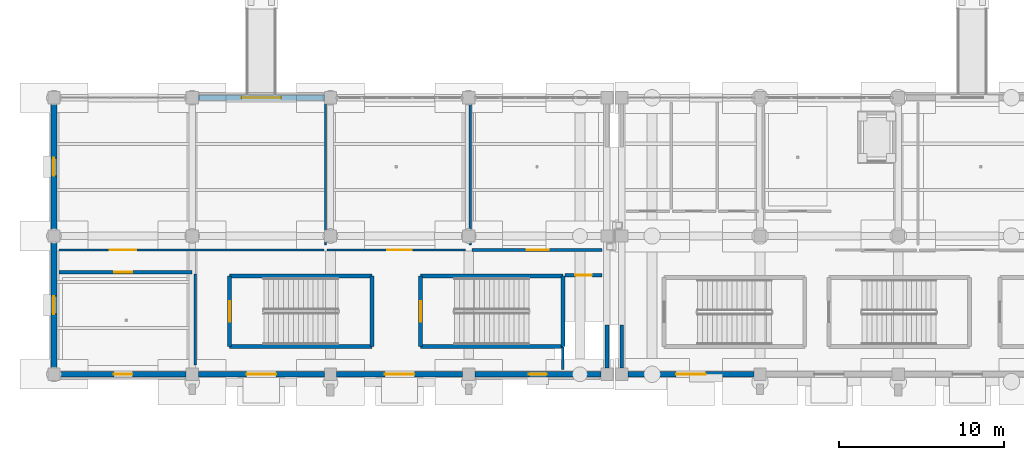
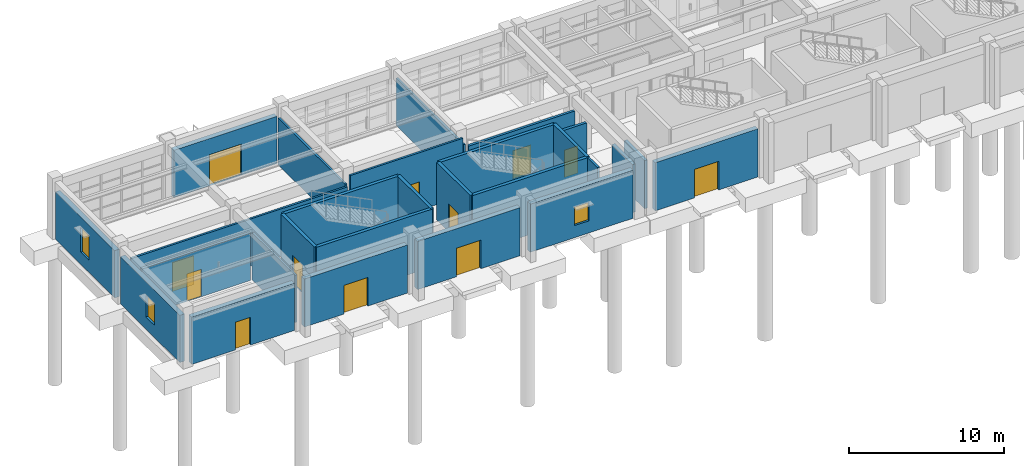
# One storey, part 17 of 29: 27 walls, 12 doors, 3 windows, 15 openings.
"""IFC4 building model written with IfcOpenShell, lengths in metres."""

from ifc_helpers import new_model, si_unit, direction, frame, frame_2d, origin, place, context, subcontext, project, spatial, rectangle, extrude, material, layer, layer_set, type_object, element, fill, save


model = new_model("IFC4")

# Units and contexts
model_context = context("Model", 3, precision=1e-05, world=origin(), true_north=direction((0.0, 1.0)))
body_context = subcontext(model_context, "Body", "Model", "MODEL_VIEW")
ifc_project = project(units=[si_unit("LENGTHUNIT", "METRE"), si_unit("AREAUNIT", "SQUARE_METRE"), si_unit("VOLUMEUNIT", "CUBIC_METRE"), si_unit("PLANEANGLEUNIT", "RADIAN"), si_unit("MASSUNIT", "GRAM", prefix="KILO")], contexts=[model_context])

# Site, building, storey
site_placement = place(None, origin())
site = spatial("IfcSite", under=ifc_project, at=site_placement, CompositionType="ELEMENT")
building_placement = place(site_placement, origin())
building = spatial("IfcBuilding", under=site, at=building_placement, Name="Canglan Escarpment Cableway Terminal", CompositionType="ELEMENT")
storey_placement = place(building_placement, origin())
storey = spatial("IfcBuildingStorey", under=building, at=storey_placement, Name="L00", CompositionType="ELEMENT", Elevation=0.0)

# Walls
ifc_material_1 = material(Name="Concrete C40", Category="concrete")
ifc_layer_1 = layer(ifc_material_1, 0.239990234375, Name="Concrete C40")
ifc_layer_set_1 = layer_set([ifc_layer_1], Name="Concrete C40")
wall_type_1 = type_object("IfcWallType", Name="WL-CORE-SHEAR-240", PredefinedType="SHEAR", material=ifc_layer_set_1)
wall_1_placement = place(storey_placement, frame((18.679931640625, 9.679931640625, 0.0), z_axis=(0.0, 0.0, 1.0), x_axis=(1.0, 0.0, 0.0)))
element("IfcWall", 1, at=wall_1_placement, inside=storey, type_object=wall_type_1, Name="Protected stair core wall ST-01 (L00)", PredefinedType="SHEAR", context=body_context, shape_type="SweptSolid", body=[
    extrude(rectangle(XDim=8.64013671875, YDim=0.239990234375, at=frame_2d((4.320068359375, 0.0))), origin(), (0.0, 0.0, 1.0), 4.550048828125),
])
wall_2_placement = place(storey_placement, frame((27.320068359375, 9.679931640625, 0.0), z_axis=(0.0, 0.0, 1.0), x_axis=(0.0, 1.0, 0.0)))
element("IfcWall", 2, at=wall_2_placement, inside=storey, type_object=wall_type_1, Name="Protected stair core wall ST-01 (L00)", PredefinedType="SHEAR", context=body_context, shape_type="SweptSolid", body=[
    extrude(rectangle(XDim=4.2900390625, YDim=0.239990234375, at=frame_2d((2.14501953125, 0.0))), origin(), (0.0, 0.0, 1.0), 4.550048828125),
])
wall_3_placement = place(storey_placement, frame((27.320068359375, 13.969970703125, 0.0), z_axis=(0.0, 0.0, 1.0), x_axis=(-1.0, 0.0, 0.0)))
element("IfcWall", 3, at=wall_3_placement, inside=storey, type_object=wall_type_1, Name="Protected stair core wall ST-01 (L00)", PredefinedType="SHEAR", context=body_context, shape_type="SweptSolid", body=[
    extrude(rectangle(XDim=8.64013671875, YDim=0.239990234375, at=frame_2d((4.320068359375, 0.0))), origin(), (0.0, 0.0, 1.0), 4.550048828125),
])

# Wall, opening, door
wall_4_placement = place(storey_placement, frame((18.679931640625, 13.969970703125, 0.0), z_axis=(0.0, 0.0, 1.0), x_axis=(0.0, -1.0, 0.0)))
wall_4 = element("IfcWall", 4, at=wall_4_placement, inside=storey, type_object=wall_type_1, Name="Protected stair core wall ST-01 (L00)", PredefinedType="SHEAR", context=body_context, shape_type="SweptSolid", body=[
    extrude(rectangle(XDim=4.2900390625, YDim=0.239990234375, at=frame_2d((2.14501953125, 0.0))), origin(), (0.0, 0.0, 1.0), 4.550048828125),
])
opening_1_placement = place(wall_4_placement, frame((1.52001953125, 0.0, 0.0)))
opening_1 = element("IfcOpeningElement", 5, at=opening_1_placement, cuts=wall_4, Name="Opening SD-D1", PredefinedType="OPENING", context=body_context, shape_type="SweptSolid", body=[
    extrude(rectangle(XDim=1.25, YDim=2.199951171875, at=frame_2d((0.625, 1.10009765625))), frame((0.0, 0.1298828125, 0.0), z_axis=(0.0, -1.0, 0.0), x_axis=(1.0, 0.0, 0.0)), (0.0, 0.0, 1.0), 0.260009765625),
])
ifc_material_2 = material(Name="Steel fire-resisting stair door", Category="steel")
door_type_1 = type_object("IfcDoorType", Name="DR-STAIR-EI90-1250", OperationType="NOTDEFINED", PredefinedType="DOOR", material=ifc_material_2)
door_1_placement = place(opening_1_placement, origin())
door_1 = element("IfcDoor", 6, at=door_1_placement, inside=storey, type_object=door_type_1, Name="Protected exit stair fire door ST-01 (L00)", OperationType="SINGLE_SWING_RIGHT", OverallHeight=2.199951171875, OverallWidth=1.25, PredefinedType="DOOR", context=body_context, shape_type="SweptSolid", body=[
    extrude(rectangle(XDim=1.25, YDim=2.199951171875, at=frame_2d((0.625, 1.10009765625))), frame((0.0, 0.02490234375, 0.0), z_axis=(0.0, -1.0, 0.0), x_axis=(1.0, 0.0, 0.0)), (0.0, 0.0, 1.0), 0.050048828125),
])
fill(opening_1, door_1)

# Walls
wall_5_placement = place(storey_placement, frame((30.280029296875, 9.679931640625, 0.0), z_axis=(0.0, 0.0, 1.0), x_axis=(1.0, 0.0, 0.0)))
element("IfcWall", 7, at=wall_5_placement, inside=storey, type_object=wall_type_1, Name="Protected stair core wall ST-02 (L00)", PredefinedType="SHEAR", context=body_context, shape_type="SweptSolid", body=[
    extrude(rectangle(XDim=8.639892578125, YDim=0.239990234375, at=frame_2d((4.31982421875, 0.0))), origin(), (0.0, 0.0, 1.0), 4.550048828125),
])
wall_6_placement = place(storey_placement, frame((38.919921875, 9.679931640625, 0.0), z_axis=(0.0, 0.0, 1.0), x_axis=(0.0, 1.0, 0.0)))
element("IfcWall", 8, at=wall_6_placement, inside=storey, type_object=wall_type_1, Name="Protected stair core wall ST-02 (L00)", PredefinedType="SHEAR", context=body_context, shape_type="SweptSolid", body=[
    extrude(rectangle(XDim=4.2900390625, YDim=0.239990234375, at=frame_2d((2.14501953125, 0.0))), origin(), (0.0, 0.0, 1.0), 4.550048828125),
])
wall_7_placement = place(storey_placement, frame((38.919921875, 13.969970703125, 0.0), z_axis=(0.0, 0.0, 1.0), x_axis=(-1.0, 0.0, 0.0)))
element("IfcWall", 9, at=wall_7_placement, inside=storey, type_object=wall_type_1, Name="Protected stair core wall ST-02 (L00)", PredefinedType="SHEAR", context=body_context, shape_type="SweptSolid", body=[
    extrude(rectangle(XDim=8.639892578125, YDim=0.239990234375, at=frame_2d((4.31982421875, 0.0))), origin(), (0.0, 0.0, 1.0), 4.550048828125),
])

# Wall, opening, door
wall_8_placement = place(storey_placement, frame((30.280029296875, 13.969970703125, 0.0), z_axis=(0.0, 0.0, 1.0), x_axis=(0.0, -1.0, 0.0)))
wall_8 = element("IfcWall", 10, at=wall_8_placement, inside=storey, type_object=wall_type_1, Name="Protected stair core wall ST-02 (L00)", PredefinedType="SHEAR", context=body_context, shape_type="SweptSolid", body=[
    extrude(rectangle(XDim=4.2900390625, YDim=0.239990234375, at=frame_2d((2.14501953125, 0.0))), origin(), (0.0, 0.0, 1.0), 4.550048828125),
])
opening_2_placement = place(wall_8_placement, frame((1.52001953125, 0.0, 0.0)))
opening_2 = element("IfcOpeningElement", 11, at=opening_2_placement, cuts=wall_8, Name="Opening SD-D1", PredefinedType="OPENING", context=body_context, shape_type="SweptSolid", body=[
    extrude(rectangle(XDim=1.25, YDim=2.199951171875, at=frame_2d((0.625, 1.10009765625))), frame((0.0, 0.1298828125, 0.0), z_axis=(0.0, -1.0, 0.0), x_axis=(1.0, 0.0, 0.0)), (0.0, 0.0, 1.0), 0.260009765625),
])
door_2_placement = place(opening_2_placement, origin())
door_2 = element("IfcDoor", 12, at=door_2_placement, inside=storey, type_object=door_type_1, Name="Protected exit stair fire door ST-02 (L00)", OperationType="SINGLE_SWING_RIGHT", OverallHeight=2.199951171875, OverallWidth=1.25, PredefinedType="DOOR", context=body_context, shape_type="SweptSolid", body=[
    extrude(rectangle(XDim=1.25, YDim=2.199951171875, at=frame_2d((0.625, 1.10009765625))), frame((0.0, 0.02490234375, 0.0), z_axis=(0.0, -1.0, 0.0), x_axis=(1.0, 0.0, 0.0)), (0.0, 0.0, 1.0), 0.050048828125),
])
fill(opening_2, door_2)

# Walls
ifc_material_3 = material(Name="Insulated stone-faced spandrel wall", Category="masonry")
ifc_layer_2 = layer(ifc_material_3, 0.22998046875, Name="Insulated stone-faced spandrel wall")
ifc_layer_set_2 = layer_set([ifc_layer_2], Name="Insulated stone-faced spandrel wall")
wall_type_2 = type_object("IfcWallType", Name="WL-EXT-LINK-230", PredefinedType="STANDARD", material=ifc_layer_set_2)
for number, where, z_axis, x_axis, name in (
    (13, (41.60009765625, 8.375, 0.0), (0.0, 0.0, 1.0), (0.0, 1.0, 0.0), "Classical stone-faced exterior wall EW-FB1-L00-E-01-FL1"),
    (14, (42.5, 8.375, 0.0), (0.0, 0.0, 1.0), (0.0, 1.0, 0.0), "Classical stone-faced exterior wall EW-FB2-L00-W-01-FL1"),
):
    element("IfcWall", number, at=place(storey_placement, frame(where, z_axis=z_axis, x_axis=x_axis)), inside=storey, type_object=wall_type_2, Name=name, PredefinedType="STANDARD", context=body_context, shape_type="SweptSolid", body=[
        extrude(rectangle(XDim=2.625, YDim=0.22998046875, at=frame_2d((1.3125, 0.0))), origin(), (0.0, 0.0, 1.0), 3.784912109375),
    ])

# Wall, opening, door
ifc_material_4 = material(Name="Rusticated limestone masonry on Concrete C40", Category="masonry")
ifc_layer_3 = layer(ifc_material_4, 0.360107421875, Name="Rusticated limestone masonry on Concrete C40")
ifc_layer_set_3 = layer_set([ifc_layer_3], Name="Rusticated limestone masonry on Concrete C40")
wall_type_3 = type_object("IfcWallType", Name="WL-EXT-RUST-360", PredefinedType="STANDARD", material=ifc_layer_set_3)
wall_9_placement = place(storey_placement, frame((8.375, 8.0, 0.0), z_axis=(0.0, 0.0, 1.0), x_axis=(1.0, 0.0, 0.0)))
wall_9 = element("IfcWall", 15, at=wall_9_placement, inside=storey, type_object=wall_type_3, Name="Classical stone-faced exterior wall EW-FB1-L00-S-01", PredefinedType="STANDARD", context=body_context, shape_type="SweptSolid", body=[
    extrude(rectangle(XDim=7.64990234375, YDim=0.360107421875, at=frame_2d((3.824951171875, 0.0))), origin(), (0.0, 0.0, 1.0), 3.715087890625),
])
opening_3_placement = place(wall_9_placement, frame((3.264892578125, 0.0, 0.0)))
opening_3 = element("IfcOpeningElement", 16, at=opening_3_placement, cuts=wall_9, Name="Opening ED-05", PredefinedType="OPENING", context=body_context, shape_type="SweptSolid", body=[
    extrude(rectangle(XDim=1.1201171875, YDim=2.179931640625, at=frame_2d((0.56005859375, 1.08984375))), frame((0.0, 0.18994140625, 0.0), z_axis=(0.0, -1.0, 0.0), x_axis=(1.0, 0.0, 0.0)), (0.0, 0.0, 1.0), 0.380126953125),
])
ifc_material_5 = material(Name="Anodized bronze aluminium and tempered safety glass", Category="aluminium")
door_type_2 = type_object("IfcDoorType", Name="DR-EXT-FCR-1120", OperationType="NOTDEFINED", PredefinedType="DOOR", material=ifc_material_5)
door_3_placement = place(opening_3_placement, origin())
door_3 = element("IfcDoor", 17, at=door_3_placement, inside=storey, type_object=door_type_2, Name="Fire Control Room direct street exit door ED-05", OperationType="SINGLE_SWING_LEFT", OverallHeight=2.179931640625, OverallWidth=1.1201171875, PredefinedType="DOOR", context=body_context, shape_type="SweptSolid", body=[
    extrude(rectangle(XDim=1.1201171875, YDim=2.179931640625, at=frame_2d((0.56005859375, 1.08984375))), frame((0.0, 0.02490234375, 0.0), z_axis=(0.0, -1.0, 0.0), x_axis=(1.0, 0.0, 0.0)), (0.0, 0.0, 1.0), 0.050048828125),
])
fill(opening_3, door_3)

wall_10_placement = place(storey_placement, frame((24.425048828125, 8.0, 0.0), z_axis=(0.0, 0.0, 1.0), x_axis=(-1.0, 0.0, 0.0)))
wall_10 = element("IfcWall", 18, at=wall_10_placement, inside=storey, type_object=wall_type_3, Name="Classical stone-faced exterior wall EW-FB1-L00-S-02", PredefinedType="STANDARD", context=body_context, shape_type="SweptSolid", body=[
    extrude(rectangle(XDim=7.650146484375, YDim=0.360107421875, at=frame_2d((3.8251953125, 0.0))), origin(), (0.0, 0.0, 1.0), 3.784912109375),
])
opening_4_placement = place(wall_10_placement, frame((2.925048828125, 0.0, 0.0)))
opening_4 = element("IfcOpeningElement", 19, at=opening_4_placement, cuts=wall_10, Name="Opening ED-02", PredefinedType="OPENING", context=body_context, shape_type="SweptSolid", body=[
    extrude(rectangle(XDim=1.800048828125, YDim=2.25, at=frame_2d((0.89990234375, 1.125))), frame((0.0, 0.18994140625, 0.0), z_axis=(0.0, -1.0, 0.0), x_axis=(1.0, 0.0, 0.0)), (0.0, 0.0, 1.0), 0.380126953125),
])
door_type_3 = type_object("IfcDoorType", Name="DR-EXT-EXIT-1800", OperationType="NOTDEFINED", PredefinedType="DOOR", material=ifc_material_5)
door_4_placement = place(opening_4_placement, origin())
door_4 = element("IfcDoor", 20, at=door_4_placement, inside=storey, type_object=door_type_3, Name="Protected exit passage final exit door ED-02", OperationType="DOUBLE_DOOR_SINGLE_SWING", OverallHeight=2.25, OverallWidth=1.800048828125, PredefinedType="DOOR", context=body_context, shape_type="SweptSolid", body=[
    extrude(rectangle(XDim=1.800048828125, YDim=2.25, at=frame_2d((0.89990234375, 1.125))), frame((0.0, 0.02490234375, 0.0), z_axis=(0.0, -1.0, 0.0), x_axis=(1.0, 0.0, 0.0)), (0.0, 0.0, 1.0), 0.050048828125),
])
fill(opening_4, door_4)

wall_11_placement = place(storey_placement, frame((32.824951171875, 8.0, 0.0), z_axis=(0.0, 0.0, 1.0), x_axis=(-1.0, 0.0, 0.0)))
wall_11 = element("IfcWall", 21, at=wall_11_placement, inside=storey, type_object=wall_type_3, Name="Classical stone-faced exterior wall EW-FB1-L00-S-03", PredefinedType="STANDARD", context=body_context, shape_type="SweptSolid", body=[
    extrude(rectangle(XDim=7.64990234375, YDim=0.360107421875, at=frame_2d((3.824951171875, 0.0))), origin(), (0.0, 0.0, 1.0), 3.784912109375),
])
opening_5_placement = place(wall_11_placement, frame((2.925048828125, 0.0, 0.0)))
opening_5 = element("IfcOpeningElement", 22, at=opening_5_placement, cuts=wall_11, Name="Opening ED-02", PredefinedType="OPENING", context=body_context, shape_type="SweptSolid", body=[
    extrude(rectangle(XDim=1.800048828125, YDim=2.25, at=frame_2d((0.89990234375, 1.125))), frame((0.0, 0.18994140625, 0.0), z_axis=(0.0, -1.0, 0.0), x_axis=(1.0, 0.0, 0.0)), (0.0, 0.0, 1.0), 0.380126953125),
])
door_5_placement = place(opening_5_placement, origin())
door_5 = element("IfcDoor", 23, at=door_5_placement, inside=storey, type_object=door_type_3, Name="Protected exit passage final exit door ED-02", OperationType="DOUBLE_DOOR_SINGLE_SWING", OverallHeight=2.25, OverallWidth=1.800048828125, PredefinedType="DOOR", context=body_context, shape_type="SweptSolid", body=[
    extrude(rectangle(XDim=1.800048828125, YDim=2.25, at=frame_2d((0.89990234375, 1.125))), frame((0.0, 0.02490234375, 0.0), z_axis=(0.0, -1.0, 0.0), x_axis=(1.0, 0.0, 0.0)), (0.0, 0.0, 1.0), 0.050048828125),
])
fill(opening_5, door_5)

# Wall, opening, window
wall_12_placement = place(storey_placement, frame((33.574951171875, 8.0, 0.0), z_axis=(0.0, 0.0, 1.0), x_axis=(1.0, 0.0, 0.0)))
wall_12 = element("IfcWall", 24, at=wall_12_placement, inside=storey, type_object=wall_type_3, Name="Classical stone-faced exterior wall EW-FB1-L00-S-04", PredefinedType="STANDARD", context=body_context, shape_type="SweptSolid", body=[
    extrude(rectangle(XDim=7.650146484375, YDim=0.360107421875, at=frame_2d((3.8251953125, 0.0))), origin(), (0.0, 0.0, 1.0), 3.784912109375),
])
opening_6_placement = place(wall_12_placement, frame((3.27490234375, 0.0, 0.949951171875)))
opening_6 = element("IfcOpeningElement", 25, at=opening_6_placement, cuts=wall_12, Name="Opening W-01", PredefinedType="OPENING", context=body_context, shape_type="SweptSolid", body=[
    extrude(rectangle(XDim=1.10009765625, YDim=1.449951171875, at=frame_2d((0.550048828125, 0.72509765625))), frame((0.0, 0.18994140625, 0.0), z_axis=(0.0, -1.0, 0.0), x_axis=(1.0, 0.0, 0.0)), (0.0, 0.0, 1.0), 0.380126953125),
])
ifc_material_6 = material(Name="Anodized bronze aluminium and Low-E double glazing", Category="aluminium")
window_type_1 = type_object("IfcWindowType", Name="WIN-EXT-01", PartitioningType="SINGLE_PANEL", PredefinedType="WINDOW", material=ifc_material_6)
window_1_placement = place(opening_6_placement, origin())
window_1 = element("IfcWindow", 26, at=window_1_placement, inside=storey, type_object=window_type_1, Name="Classical module window W-01", OverallHeight=1.449951171875, OverallWidth=1.10009765625, PartitioningType="SINGLE_PANEL", PredefinedType="WINDOW", context=body_context, shape_type="SweptSolid", body=[
    extrude(rectangle(XDim=1.10009765625, YDim=1.449951171875, at=frame_2d((0.550048828125, 0.72509765625))), frame((0.0, 0.030029296875, 0.0), z_axis=(0.0, -1.0, 0.0), x_axis=(1.0, 0.0, 0.0)), (0.0, 0.0, 1.0), 0.06005859375),
])
fill(opening_6, window_1)

# Wall, opening, door
wall_13_placement = place(storey_placement, frame((24.425048828125, 24.800048828125, 0.0), z_axis=(0.0, 0.0, 1.0), x_axis=(-1.0, 0.0, 0.0)))
wall_13 = element("IfcWall", 27, at=wall_13_placement, inside=storey, type_object=wall_type_3, Name="Classical stone-faced exterior wall EW-FB1-L00-N-02", PredefinedType="STANDARD", context=body_context, shape_type="SweptSolid", body=[
    extrude(rectangle(XDim=7.650146484375, YDim=0.360107421875, at=frame_2d((3.8251953125, 0.0))), origin(), (0.0, 0.0, 1.0), 3.715087890625),
])
opening_7_placement = place(wall_13_placement, frame((2.625, 0.0, 0.0)))
opening_7 = element("IfcOpeningElement", 28, at=opening_7_placement, cuts=wall_13, Name="Opening ED-01", PredefinedType="OPENING", context=body_context, shape_type="SweptSolid", body=[
    extrude(rectangle(XDim=2.39990234375, YDim=2.449951171875, at=frame_2d((1.199951171875, 1.22509765625))), frame((0.0, 0.18994140625, 0.0), z_axis=(0.0, -1.0, 0.0), x_axis=(1.0, 0.0, 0.0)), (0.0, 0.0, 1.0), 0.380126953125),
])
door_type_4 = type_object("IfcDoorType", Name="DR-EXT-MAIN-2400", OperationType="NOTDEFINED", PredefinedType="DOOR", material=ifc_material_5)
door_6_placement = place(opening_7_placement, origin())
door_6 = element("IfcDoor", 29, at=door_6_placement, inside=storey, type_object=door_type_4, Name="Ticket Hall main forecourt entrance door ED-01", OperationType="DOUBLE_DOOR_SINGLE_SWING", OverallHeight=2.449951171875, OverallWidth=2.39990234375, PredefinedType="DOOR", context=body_context, shape_type="SweptSolid", body=[
    extrude(rectangle(XDim=2.39990234375, YDim=2.449951171875, at=frame_2d((1.199951171875, 1.22509765625))), frame((0.0, 0.02490234375, 0.0), z_axis=(0.0, -1.0, 0.0), x_axis=(1.0, 0.0, 0.0)), (0.0, 0.0, 1.0), 0.050048828125),
])
fill(opening_7, door_6)

# Wall, opening, window
wall_14_placement = place(storey_placement, frame((8.0, 16.02490234375, 0.0), z_axis=(0.0, 0.0, 1.0), x_axis=(0.0, -1.0, 0.0)))
wall_14 = element("IfcWall", 30, at=wall_14_placement, inside=storey, type_object=wall_type_3, Name="Classical stone-faced exterior wall EW-FB1-L00-W-01", PredefinedType="STANDARD", context=body_context, shape_type="SweptSolid", body=[
    extrude(rectangle(XDim=7.64990234375, YDim=0.360107421875, at=frame_2d((3.824951171875, 0.0))), origin(), (0.0, 0.0, 1.0), 3.715087890625),
])
opening_8_placement = place(wall_14_placement, frame((3.27490234375, 0.0, 0.949951171875)))
opening_8 = element("IfcOpeningElement", 31, at=opening_8_placement, cuts=wall_14, Name="Opening W-02", PredefinedType="OPENING", context=body_context, shape_type="SweptSolid", body=[
    extrude(rectangle(XDim=1.10009765625, YDim=1.699951171875, at=frame_2d((0.550048828125, 0.85009765625))), frame((0.0, 0.18994140625, 0.0), z_axis=(0.0, -1.0, 0.0), x_axis=(1.0, 0.0, 0.0)), (0.0, 0.0, 1.0), 0.380126953125),
])
window_type_2 = type_object("IfcWindowType", Name="WIN-EXT-02", PartitioningType="SINGLE_PANEL", PredefinedType="WINDOW", material=ifc_material_6)
window_2_placement = place(opening_8_placement, origin())
window_2 = element("IfcWindow", 32, at=window_2_placement, inside=storey, type_object=window_type_2, Name="Classical module window W-02", OverallHeight=1.699951171875, OverallWidth=1.10009765625, PartitioningType="SINGLE_PANEL", PredefinedType="WINDOW", context=body_context, shape_type="SweptSolid", body=[
    extrude(rectangle(XDim=1.10009765625, YDim=1.699951171875, at=frame_2d((0.550048828125, 0.85009765625))), frame((0.0, 0.030029296875, 0.0), z_axis=(0.0, -1.0, 0.0), x_axis=(1.0, 0.0, 0.0)), (0.0, 0.0, 1.0), 0.06005859375),
])
fill(opening_8, window_2)

wall_15_placement = place(storey_placement, frame((8.0, 24.425048828125, 0.0), z_axis=(0.0, 0.0, 1.0), x_axis=(0.0, -1.0, 0.0)))
wall_15 = element("IfcWall", 33, at=wall_15_placement, inside=storey, type_object=wall_type_3, Name="Classical stone-faced exterior wall EW-FB1-L00-W-02", PredefinedType="STANDARD", context=body_context, shape_type="SweptSolid", body=[
    extrude(rectangle(XDim=7.650146484375, YDim=0.360107421875, at=frame_2d((3.8251953125, 0.0))), origin(), (0.0, 0.0, 1.0), 3.715087890625),
])
opening_9_placement = place(wall_15_placement, frame((3.27490234375, 0.0, 0.949951171875)))
opening_9 = element("IfcOpeningElement", 34, at=opening_9_placement, cuts=wall_15, Name="Opening W-03", PredefinedType="OPENING", context=body_context, shape_type="SweptSolid", body=[
    extrude(rectangle(XDim=1.10009765625, YDim=1.949951171875, at=frame_2d((0.550048828125, 0.97509765625))), frame((0.0, 0.18994140625, 0.0), z_axis=(0.0, -1.0, 0.0), x_axis=(1.0, 0.0, 0.0)), (0.0, 0.0, 1.0), 0.380126953125),
])
window_type_3 = type_object("IfcWindowType", Name="WIN-EXT-03", PartitioningType="SINGLE_PANEL", PredefinedType="WINDOW", material=ifc_material_6)
window_3_placement = place(opening_9_placement, origin())
window_3 = element("IfcWindow", 35, at=window_3_placement, inside=storey, type_object=window_type_3, Name="Classical module window W-03", OverallHeight=1.949951171875, OverallWidth=1.10009765625, PartitioningType="SINGLE_PANEL", PredefinedType="WINDOW", context=body_context, shape_type="SweptSolid", body=[
    extrude(rectangle(XDim=1.10009765625, YDim=1.949951171875, at=frame_2d((0.550048828125, 0.97509765625))), frame((0.0, 0.030029296875, 0.0), z_axis=(0.0, -1.0, 0.0), x_axis=(1.0, 0.0, 0.0)), (0.0, 0.0, 1.0), 0.06005859375),
])
fill(opening_9, window_3)

# Wall, opening, door
wall_16_placement = place(storey_placement, frame((50.52490234375, 8.0, 0.0), z_axis=(0.0, 0.0, 1.0), x_axis=(-1.0, 0.0, 0.0)))
wall_16 = element("IfcWall", 36, at=wall_16_placement, inside=storey, type_object=wall_type_3, Name="Classical stone-faced exterior wall EW-FB2-L00-S-01", PredefinedType="STANDARD", context=body_context, shape_type="SweptSolid", body=[
    extrude(rectangle(XDim=7.64990234375, YDim=0.360107421875, at=frame_2d((3.824951171875, 0.0))), origin(), (0.0, 0.0, 1.0), 3.784912109375),
])
opening_10_placement = place(wall_16_placement, frame((2.925048828125, 0.0, 0.0)))
opening_10 = element("IfcOpeningElement", 37, at=opening_10_placement, cuts=wall_16, Name="Opening ED-02", PredefinedType="OPENING", context=body_context, shape_type="SweptSolid", body=[
    extrude(rectangle(XDim=1.800048828125, YDim=2.25, at=frame_2d((0.89990234375, 1.125))), frame((0.0, 0.18994140625, 0.0), z_axis=(0.0, -1.0, 0.0), x_axis=(1.0, 0.0, 0.0)), (0.0, 0.0, 1.0), 0.380126953125),
])
door_7_placement = place(opening_10_placement, origin())
door_7 = element("IfcDoor", 38, at=door_7_placement, inside=storey, type_object=door_type_3, Name="Protected exit passage final exit door ED-02", OperationType="DOUBLE_DOOR_SINGLE_SWING", OverallHeight=2.25, OverallWidth=1.800048828125, PredefinedType="DOOR", context=body_context, shape_type="SweptSolid", body=[
    extrude(rectangle(XDim=1.800048828125, YDim=2.25, at=frame_2d((0.89990234375, 1.125))), frame((0.0, 0.02490234375, 0.0), z_axis=(0.0, -1.0, 0.0), x_axis=(1.0, 0.0, 0.0)), (0.0, 0.0, 1.0), 0.050048828125),
])
fill(opening_10, door_7)

ifc_material_7 = material(Name="Autoclaved aerated concrete blockwork", Category="masonry")
ifc_layer_4 = layer(ifc_material_7, 0.179931640625, Name="Autoclaved aerated concrete blockwork")
ifc_layer_set_4 = layer_set([ifc_layer_4], Name="Autoclaved aerated concrete blockwork")
wall_type_4 = type_object("IfcWallType", Name="WL-INT-FIRE-180-EI60", PredefinedType="PARTITIONING", material=ifc_layer_set_4)
wall_17_placement = place(storey_placement, frame((33.39990234375, 15.550048828125, 0.0), z_axis=(0.0, 0.0, 1.0), x_axis=(1.0, 0.0, 0.0)))
wall_17 = element("IfcWall", 39, at=wall_17_placement, inside=storey, type_object=wall_type_4, Name="Interior partition wall IW-L00-06-MAIN", PredefinedType="PARTITIONING", context=body_context, shape_type="SweptSolid", body=[
    extrude(rectangle(XDim=7.900146484375, YDim=0.179931640625, at=frame_2d((3.9501953125, 0.0))), origin(), (0.0, 0.0, 1.0), 3.784912109375),
])
opening_11_placement = place(wall_17_placement, frame((3.324951171875, 0.0, 0.0)))
opening_11 = element("IfcOpeningElement", 40, at=opening_11_placement, cuts=wall_17, Name="Opening ID-15", PredefinedType="OPENING", context=body_context, shape_type="SweptSolid", body=[
    extrude(rectangle(XDim=1.35009765625, YDim=2.199951171875, at=frame_2d((0.675048828125, 1.10009765625))), frame((0.0, 0.10009765625, 0.0), z_axis=(0.0, -1.0, 0.0), x_axis=(1.0, 0.0, 0.0)), (0.0, 0.0, 1.0), 0.199951171875),
])
ifc_material_8 = material(Name="Stained oak and safety glass door", Category="glass")
door_type_5 = type_object("IfcDoorType", Name="DR-INT-ID-15", OperationType="NOTDEFINED", PredefinedType="DOOR", material=ifc_material_8)
door_8_placement = place(opening_11_placement, origin())
door_8 = element("IfcDoor", 41, at=door_8_placement, inside=storey, type_object=door_type_5, Name="Mountain Rescue Clinic door ID-15", OperationType="SINGLE_SWING_LEFT", OverallHeight=2.199951171875, OverallWidth=1.35009765625, PredefinedType="DOOR", context=body_context, shape_type="SweptSolid", body=[
    extrude(rectangle(XDim=1.35009765625, YDim=2.199951171875, at=frame_2d((0.675048828125, 1.10009765625))), frame((0.0, 0.02490234375, 0.0), z_axis=(0.0, -1.0, 0.0), x_axis=(1.0, 0.0, 0.0)), (0.0, 0.0, 1.0), 0.050048828125),
])
fill(opening_11, door_8)

ifc_layer_5 = layer(ifc_material_7, 0.199951171875, Name="Autoclaved aerated concrete blockwork")
ifc_layer_set_5 = layer_set([ifc_layer_5], Name="Autoclaved aerated concrete blockwork")
wall_type_5 = type_object("IfcWallType", Name="WL-INT-FIRE-200-EI90", PredefinedType="PARTITIONING", material=ifc_layer_set_5)
wall_18_placement = place(storey_placement, frame((8.300048828125, 14.199951171875, 0.0), z_axis=(0.0, 0.0, 1.0), x_axis=(1.0, 0.0, 0.0)))
wall_18 = element("IfcWall", 42, at=wall_18_placement, inside=storey, type_object=wall_type_5, Name="Interior partition wall IW-L00-03-MAIN", PredefinedType="PARTITIONING", context=body_context, shape_type="SweptSolid", body=[
    extrude(rectangle(XDim=8.099853515625, YDim=0.199951171875, at=frame_2d((4.0498046875, 0.0))), origin(), (0.0, 0.0, 1.0), 3.715087890625),
])
opening_12_placement = place(wall_18_placement, frame((3.35009765625, 0.0, 0.0)))
opening_12 = element("IfcOpeningElement", 43, at=opening_12_placement, cuts=wall_18, Name="Opening ID-06", PredefinedType="OPENING", context=body_context, shape_type="SweptSolid", body=[
    extrude(rectangle(XDim=1.10009765625, YDim=2.159912109375, at=frame_2d((0.550048828125, 1.080078125))), frame((0.0, 0.10986328125, 0.0), z_axis=(0.0, -1.0, 0.0), x_axis=(1.0, 0.0, 0.0)), (0.0, 0.0, 1.0), 0.219970703125),
])
ifc_material_9 = material(Name="Fire-rated steel leaf", Category="steel")
door_type_6 = type_object("IfcDoorType", Name="DR-INT-ID-06", OperationType="NOTDEFINED", PredefinedType="DOOR", material=ifc_material_9)
door_9_placement = place(opening_12_placement, origin())
door_9 = element("IfcDoor", 44, at=door_9_placement, inside=storey, type_object=door_type_6, Name="Fire Control Room door ID-06", OperationType="SINGLE_SWING_RIGHT", OverallHeight=2.159912109375, OverallWidth=1.10009765625, PredefinedType="DOOR", context=body_context, shape_type="SweptSolid", body=[
    extrude(rectangle(XDim=1.10009765625, YDim=2.159912109375, at=frame_2d((0.550048828125, 1.080078125))), frame((0.0, 0.02490234375, 0.0), z_axis=(0.0, -1.0, 0.0), x_axis=(1.0, 0.0, 0.0)), (0.0, 0.0, 1.0), 0.050048828125),
])
fill(opening_12, door_9)

wall_19_placement = place(storey_placement, frame((39.06005859375, 14.02001953125, 0.0), z_axis=(0.0, 0.0, 1.0), x_axis=(1.0, 0.0, 0.0)))
wall_19 = element("IfcWall", 45, at=wall_19_placement, inside=storey, type_object=wall_type_5, Name="Interior partition wall IW-L00-07-MAIN", PredefinedType="PARTITIONING", context=body_context, shape_type="SweptSolid", body=[
    extrude(rectangle(XDim=2.239990234375, YDim=0.199951171875, at=frame_2d((1.1201171875, 0.0))), origin(), (0.0, 0.0, 1.0), 3.784912109375),
])
opening_13_placement = place(wall_19_placement, frame((0.6201171875, 0.0, 0.0)))
opening_13 = element("IfcOpeningElement", 46, at=opening_13_placement, cuts=wall_19, Name="Opening ID-03", PredefinedType="OPENING", context=body_context, shape_type="SweptSolid", body=[
    extrude(rectangle(XDim=1.0, YDim=2.14990234375, at=frame_2d((0.5, 1.074951171875))), frame((0.0, 0.10986328125, 0.0), z_axis=(0.0, -1.0, 0.0), x_axis=(1.0, 0.0, 0.0)), (0.0, 0.0, 1.0), 0.219970703125),
])
door_type_7 = type_object("IfcDoorType", Name="DR-INT-ID-03", OperationType="NOTDEFINED", PredefinedType="DOOR", material=ifc_material_9)
door_10_placement = place(opening_13_placement, origin())
door_10 = element("IfcDoor", 47, at=door_10_placement, inside=storey, type_object=door_type_7, Name="Valley Dispatch Operations Room door ID-03", OperationType="SINGLE_SWING_RIGHT", OverallHeight=2.14990234375, OverallWidth=1.0, PredefinedType="DOOR", context=body_context, shape_type="SweptSolid", body=[
    extrude(rectangle(XDim=1.0, YDim=2.14990234375, at=frame_2d((0.5, 1.074951171875))), frame((0.0, 0.02490234375, 0.0), z_axis=(0.0, -1.0, 0.0), x_axis=(1.0, 0.0, 0.0)), (0.0, 0.0, 1.0), 0.050048828125),
])
fill(opening_13, door_10)

# Wall
ifc_material_10 = material(Name="Acoustic double-stud gypsum partition", Category="gypsum")
ifc_layer_6 = layer(ifc_material_10, 0.14990234375, Name="Acoustic double-stud gypsum partition")
ifc_layer_set_6 = layer_set([ifc_layer_6], Name="Acoustic double-stud gypsum partition")
wall_type_6 = type_object("IfcWallType", Name="WL-INT-PART-150", PredefinedType="PARTITIONING", material=ifc_layer_set_6)
wall_20_placement = place(storey_placement, frame((16.580078125, 8.550048828125, 0.0), z_axis=(0.0, 0.0, 1.0), x_axis=(0.0, 1.0, 0.0)))
element("IfcWall", 48, at=wall_20_placement, inside=storey, type_object=wall_type_6, Name="Interior partition wall IW-L00-03-SIDE", PredefinedType="PARTITIONING", context=body_context, shape_type="SweptSolid", body=[
    extrude(rectangle(XDim=5.550048828125, YDim=0.14990234375, at=frame_2d((2.77490234375, 0.0))), origin(), (0.0, 0.0, 1.0), 3.715087890625),
])

# Wall, opening, door
wall_21_placement = place(storey_placement, frame((8.300048828125, 15.550048828125, 0.0), z_axis=(0.0, 0.0, 1.0), x_axis=(1.0, 0.0, 0.0)))
wall_21 = element("IfcWall", 49, at=wall_21_placement, inside=storey, type_object=wall_type_6, Name="Interior partition wall IW-L00-04-MAIN", PredefinedType="PARTITIONING", context=body_context, shape_type="SweptSolid", body=[
    extrude(rectangle(XDim=16.099853515625, YDim=0.14990234375, at=frame_2d((8.0498046875, 0.0))), origin(), (0.0, 0.0, 1.0), 3.715087890625),
])
opening_14_placement = place(wall_21_placement, frame((3.10009765625, 0.0, 0.0)))
opening_14 = element("IfcOpeningElement", 50, at=opening_14_placement, cuts=wall_21, Name="Opening ID-24", PredefinedType="OPENING", context=body_context, shape_type="SweptSolid", body=[
    extrude(rectangle(XDim=1.60009765625, YDim=2.280029296875, at=frame_2d((0.800048828125, 1.14013671875))), frame((0.0, 0.0849609375, 0.0), z_axis=(0.0, -1.0, 0.0), x_axis=(1.0, 0.0, 0.0)), (0.0, 0.0, 1.0), 0.169921875),
])
door_type_8 = type_object("IfcDoorType", Name="DR-INT-ID-24", OperationType="NOTDEFINED", PredefinedType="DOOR", material=ifc_material_8)
door_11_placement = place(opening_14_placement, origin())
door_11 = element("IfcDoor", 51, at=door_11_placement, inside=storey, type_object=door_type_8, Name="Ticket Hall door ID-24", OperationType="DOUBLE_DOOR_SINGLE_SWING", OverallHeight=2.280029296875, OverallWidth=1.60009765625, PredefinedType="DOOR", context=body_context, shape_type="SweptSolid", body=[
    extrude(rectangle(XDim=1.60009765625, YDim=2.280029296875, at=frame_2d((0.800048828125, 1.14013671875))), frame((0.0, 0.02490234375, 0.0), z_axis=(0.0, -1.0, 0.0), x_axis=(1.0, 0.0, 0.0)), (0.0, 0.0, 1.0), 0.050048828125),
])
fill(opening_14, door_11)

wall_22_placement = place(storey_placement, frame((24.60009765625, 15.550048828125, 0.0), z_axis=(0.0, 0.0, 1.0), x_axis=(1.0, 0.0, 0.0)))
wall_22 = element("IfcWall", 52, at=wall_22_placement, inside=storey, type_object=wall_type_6, Name="Interior partition wall IW-L00-05-MAIN", PredefinedType="PARTITIONING", context=body_context, shape_type="SweptSolid", body=[
    extrude(rectangle(XDim=8.39990234375, YDim=0.14990234375, at=frame_2d((4.199951171875, 0.0))), origin(), (0.0, 0.0, 1.0), 4.534912109375),
])
opening_15_placement = place(wall_22_placement, frame((3.64990234375, 0.0, 0.0)))
opening_15 = element("IfcOpeningElement", 53, at=opening_15_placement, cuts=wall_22, Name="Opening ID-21", PredefinedType="OPENING", context=body_context, shape_type="SweptSolid", body=[
    extrude(rectangle(XDim=1.5, YDim=2.239990234375, at=frame_2d((0.75, 1.1201171875))), frame((0.0, 0.0849609375, 0.0), z_axis=(0.0, -1.0, 0.0), x_axis=(1.0, 0.0, 0.0)), (0.0, 0.0, 1.0), 0.169921875),
])
door_type_9 = type_object("IfcDoorType", Name="DR-INT-ID-21", OperationType="NOTDEFINED", PredefinedType="DOOR", material=ifc_material_8)
door_12_placement = place(opening_15_placement, origin())
door_12 = element("IfcDoor", 54, at=door_12_placement, inside=storey, type_object=door_type_9, Name="Baggage Check Hall door ID-21", OperationType="DOUBLE_DOOR_SINGLE_SWING", OverallHeight=2.239990234375, OverallWidth=1.5, PredefinedType="DOOR", context=body_context, shape_type="SweptSolid", body=[
    extrude(rectangle(XDim=1.5, YDim=2.239990234375, at=frame_2d((0.75, 1.1201171875))), frame((0.0, 0.02490234375, 0.0), z_axis=(0.0, -1.0, 0.0), x_axis=(1.0, 0.0, 0.0)), (0.0, 0.0, 1.0), 0.050048828125),
])
fill(opening_15, door_12)

# Walls
wall_23_placement = place(storey_placement, frame((24.5, 15.85009765625, 0.0), z_axis=(0.0, 0.0, 1.0), x_axis=(0.0, 1.0, 0.0)))
element("IfcWall", 55, at=wall_23_placement, inside=storey, type_object=wall_type_6, Name="Interior partition wall IW-L00-05-SIDE", PredefinedType="PARTITIONING", context=body_context, shape_type="SweptSolid", body=[
    extrude(rectangle(XDim=8.64990234375, YDim=0.14990234375, at=frame_2d((4.324951171875, 0.0))), origin(), (0.0, 0.0, 1.0), 3.68505859375),
])
wall_24_placement = place(storey_placement, frame((33.300048828125, 15.85009765625, 0.0), z_axis=(0.0, 0.0, 1.0), x_axis=(0.0, 1.0, 0.0)))
element("IfcWall", 56, at=wall_24_placement, inside=storey, type_object=wall_type_6, Name="Interior partition wall IW-L00-06-SIDE", PredefinedType="PARTITIONING", context=body_context, shape_type="SweptSolid", body=[
    extrude(rectangle(XDim=8.64990234375, YDim=0.14990234375, at=frame_2d((4.324951171875, 0.0))), origin(), (0.0, 0.0, 1.0), 3.715087890625),
])
wall_25_placement = place(storey_placement, frame((38.919921875, 8.300048828125, 0.0), z_axis=(0.0, 0.0, 1.0), x_axis=(0.0, 1.0, 0.0)))
element("IfcWall", 57, at=wall_25_placement, inside=storey, type_object=wall_type_6, Name="Interior partition wall IW-L00-07-SIDE", PredefinedType="PARTITIONING", context=body_context, shape_type="SweptSolid", body=[
    extrude(rectangle(XDim=1.349853515625, YDim=0.14990234375, at=frame_2d((0.6748046875, 0.0))), origin(), (0.0, 0.0, 1.0), 4.534912109375),
])

save(model, "model.ifc")
